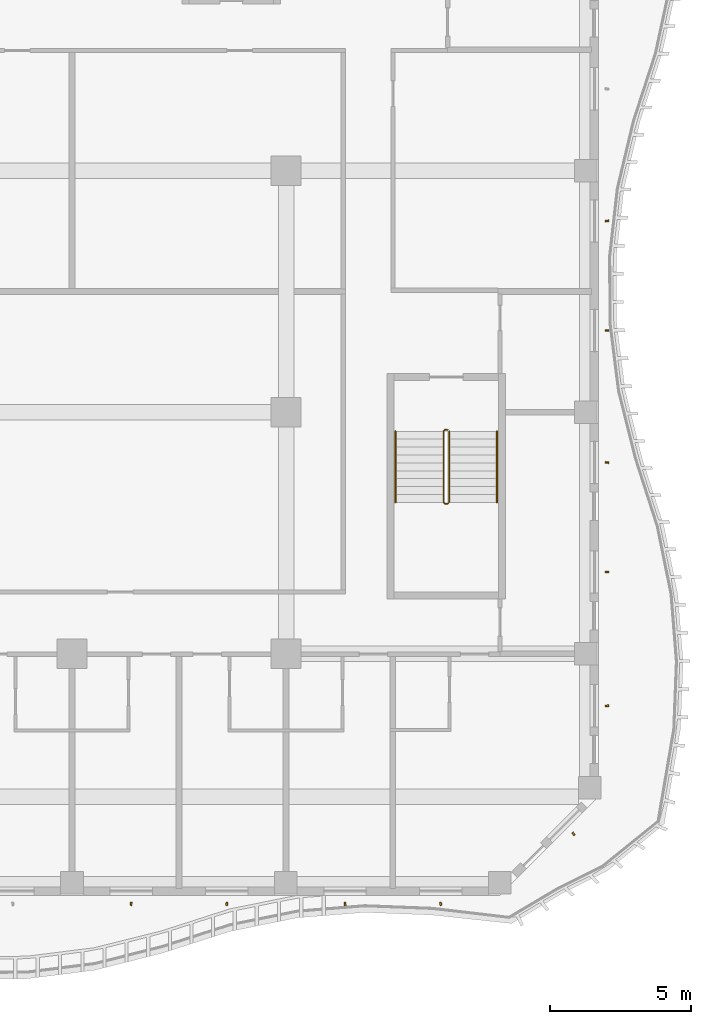
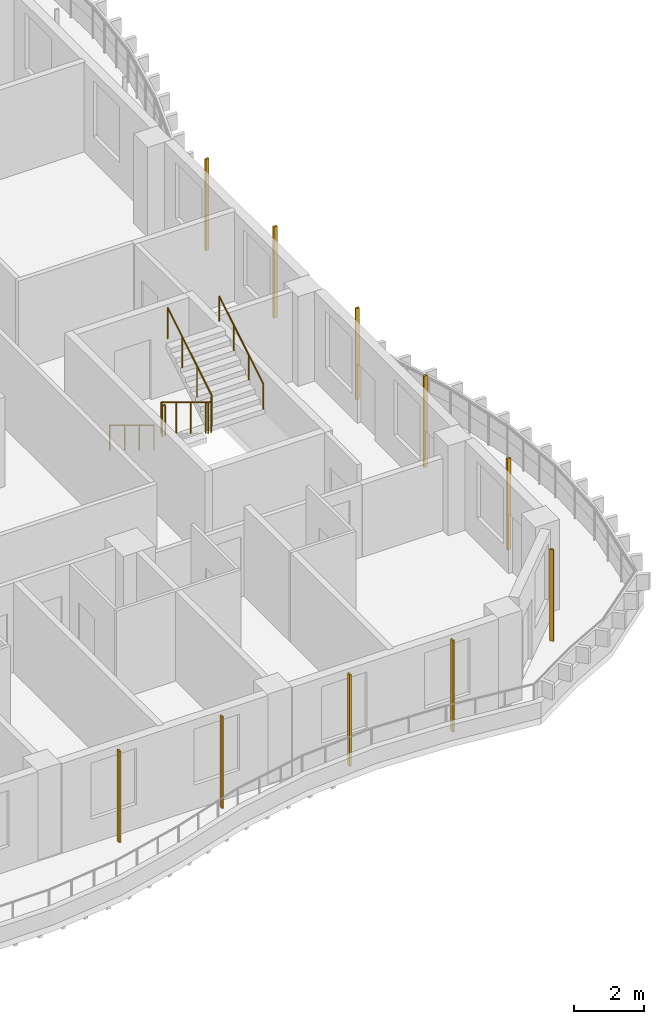
# One storey, part 18 of 22: 10 shading devices, 3 railings.
"""IFC4 building model written with IfcOpenShell, lengths in metres."""

from ifc_helpers import new_model, si_unit, direction, frame, origin, origin_2d, place, context, subcontext, project, spatial, rectangle, circle, extrude, source, transform, mapped, material, material_profile, profile_set, type_object, element, save


model = new_model("IFC4")

# Units and contexts
model_context = context("Model", 3, precision=1e-05, world=origin(), true_north=direction((0.0, 1.0)))
body_context = subcontext(model_context, "Body", "Model", "MODEL_VIEW")
ifc_project = project(units=[si_unit("LENGTHUNIT", "METRE"), si_unit("AREAUNIT", "SQUARE_METRE"), si_unit("VOLUMEUNIT", "CUBIC_METRE"), si_unit("PLANEANGLEUNIT", "RADIAN"), si_unit("MASSUNIT", "GRAM", prefix="KILO")], contexts=[model_context])

# Site, building, storey
site_placement = place(None, origin())
site = spatial("IfcSite", under=ifc_project, at=site_placement, CompositionType="ELEMENT")
building_placement = place(site_placement, origin())
building = spatial("IfcBuilding", under=site, at=building_placement, Name="Kilnfold Tower and Market Hall", CompositionType="ELEMENT")
storey_placement = place(building_placement, frame((0.0, 0.0, 171.89990234375)))
storey = spatial("IfcBuildingStorey", under=building, at=storey_placement, Name="L40", CompositionType="ELEMENT", Elevation=171.89990234375)

# Railings
ifc_material_1 = material(Name="Stainless steel 316", Category="steel")
railing_type_1 = type_object("IfcRailingType", Name="CORE STAIR GUARD 1100", PredefinedType="GUARDRAIL", material=ifc_material_1)
railing_1_placement = place(storey_placement, frame((19.89990234375, -9.75, 0.0)))
element("IfcRailing", 1, at=railing_1_placement, inside=storey, type_object=railing_type_1, Name="L40 ST4 stair guard 1", PredefinedType="GUARDRAIL", context=body_context, shape_type="SweptSolid", body=[
    extrude(circle(Radius=0.02392578125, at=origin_2d()), frame((0.0, 0.0, 1.076171875), z_axis=(-1.0, 0.0, 0.0), x_axis=(0.0, -1.0, 0.0)), (0.0, 0.0, 1.0), 0.099853515625),
    extrude(circle(Radius=0.02392578125, at=origin_2d()), frame((-0.099853515625, 0.0, 1.076171875), z_axis=(-0.271562723297, -0.271562723297, 0.923313259209), x_axis=(0.707106781187, -0.707106781187, 0.0)), (0.0, 0.0, 1.0), 0.184326171875),
    extrude(circle(Radius=0.02392578125, at=origin_2d()), frame((-0.14990234375, -0.050048828125, 1.24609375), z_axis=(0.0, -0.85478489116, 0.518982456201), x_axis=(1.0, 0.0, 0.0)), (0.0, 0.0, 1.0), 2.9482421875),
    extrude(circle(Radius=0.02392578125, at=origin_2d()), frame((-0.14990234375, -2.570068359375, 2.7763671875), z_axis=(0.707106781187, -0.707106781187, 0.0), x_axis=(0.707106781187, 0.707106781187, 0.0)), (0.0, 0.0, 1.0), 0.07080078125),
    extrude(circle(Radius=0.02392578125, at=origin_2d()), frame((-0.099853515625, -2.6201171875, 2.7763671875), z_axis=(1.0, 0.0, 0.0), x_axis=(0.0, 1.0, 0.0)), (0.0, 0.0, 1.0), 0.099853515625),
    extrude(circle(Radius=0.02392578125, at=origin_2d()), frame((0.0, -2.6201171875, 2.7763671875), z_axis=(0.271895245746, 0.271895245746, 0.923117517265), x_axis=(-0.707106781187, 0.707106781187, 0.0)), (0.0, 0.0, 1.0), 0.18408203125),
    extrude(circle(Radius=0.02392578125, at=origin_2d()), frame((0.050048828125, -2.570068359375, 2.9462890625), z_axis=(0.0, 0.85478489116, 0.518982456201), x_axis=(-1.0, 0.0, 0.0)), (0.0, 0.0, 1.0), 2.9482421875),
    extrude(circle(Radius=0.02099609375, at=origin_2d()), origin(), (0.0, 0.0, 1.0), 1.052001953125),
    extrude(circle(Radius=0.02099609375, at=origin_2d()), frame((-0.099853515625, 0.0, 0.0)), (0.0, 0.0, 1.0), 1.052001953125),
    extrude(circle(Radius=0.02099609375, at=origin_2d()), frame((-0.14990234375, -0.050048828125, 0.170166015625)), (0.0, 0.0, 1.0), 1.052001953125),
    extrude(circle(Radius=0.02099609375, at=origin_2d()), frame((-0.14990234375, -0.89013671875, 0.68017578125)), (0.0, 0.0, 1.0), 1.052001953125),
    extrude(circle(Radius=0.02099609375, at=origin_2d()), frame((-0.14990234375, -1.72998046875, 1.190185546875)), (0.0, 0.0, 1.0), 1.052001953125),
    extrude(circle(Radius=0.02099609375, at=origin_2d()), frame((-0.14990234375, -2.570068359375, 1.7001953125)), (0.0, 0.0, 1.0), 1.052001953125),
    extrude(circle(Radius=0.02099609375, at=origin_2d()), frame((-0.099853515625, -2.6201171875, 1.7001953125)), (0.0, 0.0, 1.0), 1.052001953125),
    extrude(circle(Radius=0.02099609375, at=origin_2d()), frame((0.0, -2.6201171875, 1.7001953125)), (0.0, 0.0, 1.0), 1.052001953125),
    extrude(circle(Radius=0.02099609375, at=origin_2d()), frame((0.050048828125, -2.570068359375, 1.8701171875)), (0.0, 0.0, 1.0), 1.052001953125),
    extrude(circle(Radius=0.02099609375, at=origin_2d()), frame((0.050048828125, -1.72998046875, 2.380126953125)), (0.0, 0.0, 1.0), 1.052001953125),
    extrude(circle(Radius=0.02099609375, at=origin_2d()), frame((0.050048828125, -0.89013671875, 2.89013671875)), (0.0, 0.0, 1.0), 1.052001953125),
    extrude(circle(Radius=0.02099609375, at=origin_2d()), frame((0.050048828125, -0.050048828125, 3.400146484375)), (0.0, 0.0, 1.0), 1.052001953125),
])
ifc_material_2 = material(Name="Stainless steel 316", Category="steel")
railing_type_2 = type_object("IfcRailingType", Name="CORE STAIR HANDRAIL 900", PredefinedType="HANDRAIL", material=ifc_material_2)
railing_2_placement = place(storey_placement, frame((18.050048828125, -9.800048828125, 0.170166015625)))
element("IfcRailing", 2, at=railing_2_placement, inside=storey, type_object=railing_type_2, Name="L40 ST4 stair handrail 1", PredefinedType="HANDRAIL", context=body_context, shape_type="SweptSolid", body=[
    extrude(circle(Radius=0.02392578125, at=origin_2d()), frame((0.0, 0.0, 0.8759765625), z_axis=(0.0, -0.85478489116, 0.518982456201), x_axis=(1.0, 0.0, 0.0)), (0.0, 0.0, 1.0), 2.9482421875),
    extrude(circle(Radius=0.02099609375, at=origin_2d()), origin(), (0.0, 0.0, 1.0), 0.851806640625),
    extrude(circle(Radius=0.02099609375, at=origin_2d()), frame((0.0, -0.840087890625, 0.510009765625)), (0.0, 0.0, 1.0), 0.851806640625),
    extrude(circle(Radius=0.02099609375, at=origin_2d()), frame((0.0, -1.679931640625, 1.02001953125)), (0.0, 0.0, 1.0), 0.851806640625),
    extrude(circle(Radius=0.02099609375, at=origin_2d()), frame((0.0, -2.52001953125, 1.530029296875)), (0.0, 0.0, 1.0), 0.851806640625),
])
railing_3_placement = place(storey_placement, frame((21.64990234375, -12.320068359375, 1.8701171875)))
element("IfcRailing", 3, at=railing_3_placement, inside=storey, type_object=railing_type_2, Name="L40 ST4 stair handrail 2", PredefinedType="HANDRAIL", context=body_context, shape_type="SweptSolid", body=[
    extrude(circle(Radius=0.02392578125, at=origin_2d()), frame((0.0, 0.0, 0.8759765625), z_axis=(0.0, 0.85478489116, 0.518982456201), x_axis=(-1.0, 0.0, 0.0)), (0.0, 0.0, 1.0), 2.9482421875),
    extrude(circle(Radius=0.02099609375, at=origin_2d()), origin(), (0.0, 0.0, 1.0), 0.851806640625),
    extrude(circle(Radius=0.02099609375, at=origin_2d()), frame((0.0, 0.840087890625, 0.510009765625)), (0.0, 0.0, 1.0), 0.851806640625),
    extrude(circle(Radius=0.02099609375, at=origin_2d()), frame((0.0, 1.679931640625, 1.02001953125)), (0.0, 0.0, 1.0), 0.851806640625),
    extrude(circle(Radius=0.02099609375, at=origin_2d()), frame((0.0, 2.52001953125, 1.530029296875)), (0.0, 0.0, 1.0), 0.851806640625),
])

# Shading devices
ifc_material_3 = material(Name="Terracotta", Category="masonry")
ifc_material_profile = material_profile(ifc_material_3, rectangle(XDim=0.06005859375, YDim=0.1201171875, at=origin_2d()), Name="BAG 60x120")
ifc_profile_set = profile_set([ifc_material_profile], Name="Terracotta")
shading_device_type = type_object("IfcShadingDeviceType", Name="BAGUETTE", PredefinedType="USERDEFINED", material=ifc_profile_set)
shared_shape = source(origin(), body_context, "Body", "SweptSolid", [
    extrude(rectangle(XDim=0.06005859375, YDim=0.1201171875, at=origin_2d()), origin(), (0.0, 0.0, 1.0), 3.18017578125),
])
for number, where, z_axis, x_axis, name in (
    (4, (8.67919921875, -26.550048828125, 0.0), (0.0, 0.0, 1.0), (0.997615036873, -0.06902346126, 0.0), "Terracotta baguette L40 S"),
    (5, (12.07080078125, -26.550048828125, 0.0), (0.0, 0.0, 1.0), (0.992253213636, -0.124231880084, 0.0), "Terracotta baguette L40 S"),
    (6, (16.262451171875, -26.550048828125, 0.0), (0.0, 0.0, 1.0), (0.995189002529, 0.097973717111, 0.0), "Terracotta baguette L40 S"),
    (7, (19.654296875, -26.550048828125, 0.0), (0.0, 0.0, 1.0), (0.994598976159, 0.103792469015, 0.0), "Terracotta baguette L40 S"),
    (8, (24.35498046875, -24.0693359375, 0.0), (0.0, 0.0, 1.0), (0.798536764955, 0.601946039952, 0.0), "Terracotta baguette L40 SE"),
    (9, (25.550048828125, -19.53173828125, 0.0), (0.0, 0.0, 1.0), (-0.081571476941, 0.996667494278, 0.0), "Terracotta baguette L40 E"),
    (10, (25.550048828125, -14.78759765625, 0.0), (0.0, 0.0, 1.0), (-0.052755999499, 0.998607432636, 0.0), "Terracotta baguette L40 E"),
    (11, (25.550048828125, -10.90625, 0.0), (0.0, 0.0, 1.0), (0.135943820747, 0.990716547556, 0.0), "Terracotta baguette L40 E"),
    (12, (25.550048828125, -6.22509765625, 0.0), (0.0, 0.0, 1.0), (-0.043059663094, 0.999072502581, 0.0), "Terracotta baguette L40 E"),
    (13, (25.550048828125, -2.34375, 0.0), (0.0, 0.0, 1.0), (-0.123230831693, 0.992378033876, 0.0), "Terracotta baguette L40 E"),
):
    element("IfcShadingDevice", number, at=place(storey_placement, frame(where, z_axis=z_axis, x_axis=x_axis)), inside=storey, type_object=shading_device_type, Name=name, ObjectType="BAGUETTE", PredefinedType="USERDEFINED", context=body_context, shape_type="MappedRepresentation", body=[
        mapped(shared_shape, transform((0.0, 0.0, 0.0))),
    ])

save(model, "model.ifc")
